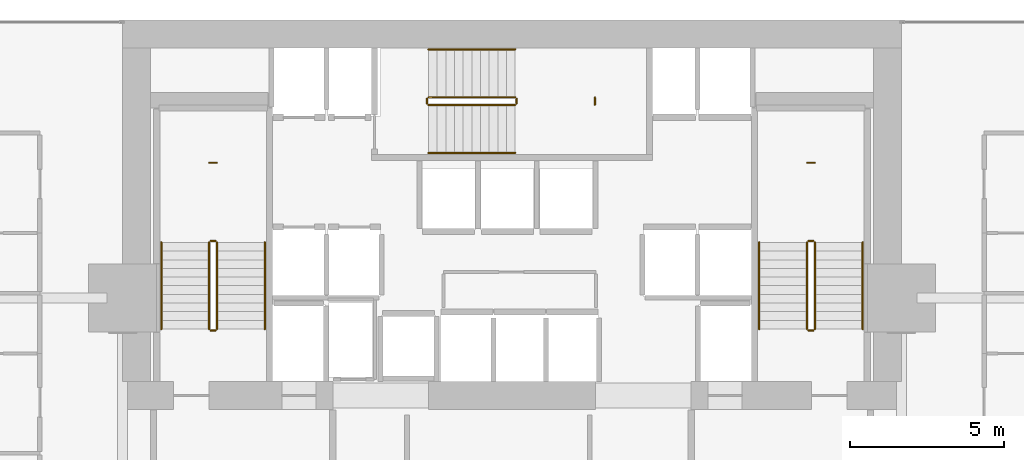
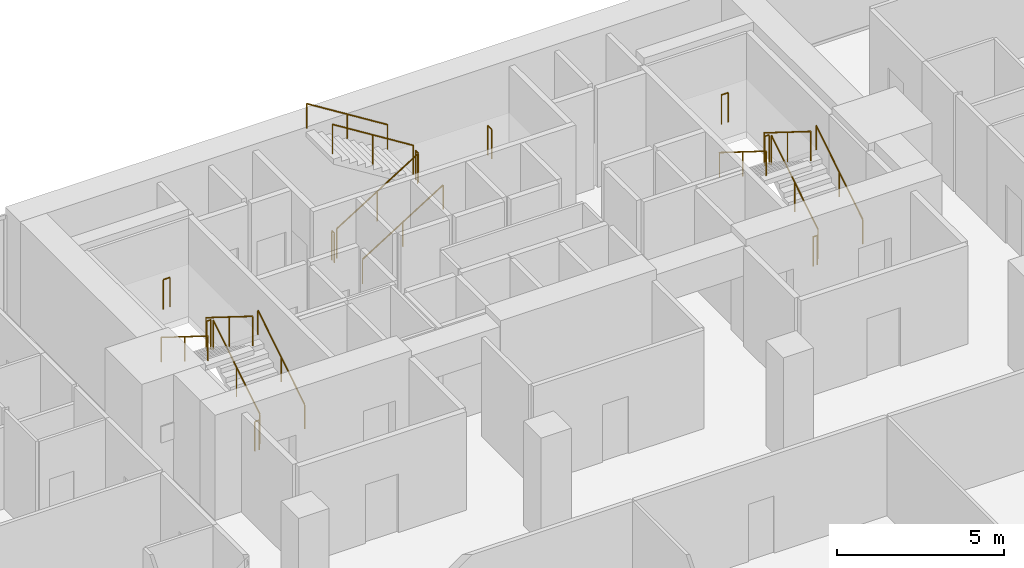
# One storey, part 40 of 40: 21 railings.
"""IFC4 building model written with IfcOpenShell, lengths in metres."""

from ifc_helpers import new_model, si_unit, direction, frame, origin, origin_2d, place, context, subcontext, project, spatial, circle, extrude, material, type_object, element, save


model = new_model("IFC4")

# Units and contexts
model_context = context("Model", 3, precision=1e-05, world=origin(), true_north=direction((0.0, 1.0)))
body_context = subcontext(model_context, "Body", "Model", "MODEL_VIEW")
ifc_project = project(units=[si_unit("LENGTHUNIT", "METRE"), si_unit("AREAUNIT", "SQUARE_METRE"), si_unit("VOLUMEUNIT", "CUBIC_METRE"), si_unit("PLANEANGLEUNIT", "RADIAN"), si_unit("MASSUNIT", "GRAM", prefix="KILO")], contexts=[model_context])

# Site, building, storey
site_placement = place(None, origin())
site = spatial("IfcSite", under=ifc_project, at=site_placement, CompositionType="ELEMENT")
building_placement = place(site_placement, origin())
building = spatial("IfcBuilding", under=site, at=building_placement, Name="Maruvema Waterfront Hotel and Observation Tower", CompositionType="ELEMENT")
storey_placement = place(building_placement, frame((0.0, 0.0, 77.0)))
storey = spatial("IfcBuildingStorey", under=building, at=storey_placement, Name="L18", CompositionType="ELEMENT", Elevation=77.0)

# Railings
ifc_material_1 = material(Name="Brushed stainless steel Grade 316", Category="steel")
railing_type_1 = type_object("IfcRailingType", Name="Ramp Continuous Wall Handrail 920 mm", PredefinedType="HANDRAIL", material=ifc_material_1)
railing_1_placement = place(storey_placement, frame((29.800048828125, 44.0, 0.175048828125)))
element("IfcRailing", 1, at=railing_1_placement, inside=storey, type_object=railing_type_1, Name="L18 ST-01 stair handrail 1", PredefinedType="HANDRAIL", context=body_context, shape_type="SweptSolid", body=[
    extrude(circle(Radius=0.02392578125, at=origin_2d()), frame((0.0, 0.0, 0.89599609375), z_axis=(0.0, 0.848002457836, 0.529992293815), x_axis=(-1.0, 0.0, 0.0)), (0.0, 0.0, 1.0), 3.302001953125),
    extrude(circle(Radius=0.02099609375, at=origin_2d()), origin(), (0.0, 0.0, 1.0), 0.871826171875),
    extrude(circle(Radius=0.02099609375, at=origin_2d()), frame((0.0, 1.39990234375, 0.875)), (0.0, 0.0, 1.0), 0.871826171875),
    extrude(circle(Radius=0.02099609375, at=origin_2d()), frame((0.0, 2.800048828125, 1.75)), (0.0, 0.0, 1.0), 0.871826171875),
])
railing_2_placement = place(storey_placement, frame((26.449951171875, 46.800048828125, 2.10009765625)))
element("IfcRailing", 2, at=railing_2_placement, inside=storey, type_object=railing_type_1, Name="L18 ST-01 stair handrail 2", PredefinedType="HANDRAIL", context=body_context, shape_type="SweptSolid", body=[
    extrude(circle(Radius=0.02392578125, at=origin_2d()), frame((0.0, 0.0, 0.89599609375), z_axis=(0.0, -0.848002457836, 0.529992293815), x_axis=(1.0, 0.0, 0.0)), (0.0, 0.0, 1.0), 3.302001953125),
    extrude(circle(Radius=0.02099609375, at=origin_2d()), origin(), (0.0, 0.0, 1.0), 0.871826171875),
    extrude(circle(Radius=0.02099609375, at=origin_2d()), frame((0.0, -1.39990234375, 0.875)), (0.0, 0.0, 1.0), 0.871826171875),
    extrude(circle(Radius=0.02099609375, at=origin_2d()), frame((0.0, -2.800048828125, 1.75)), (0.0, 0.0, 1.0), 0.871826171875),
])
railing_3_placement = place(storey_placement, frame((35.10009765625, 49.699951171875, 0.175048828125)))
element("IfcRailing", 3, at=railing_3_placement, inside=storey, type_object=railing_type_1, Name="L18 ST-02 stair handrail 1", PredefinedType="HANDRAIL", context=body_context, shape_type="SweptSolid", body=[
    extrude(circle(Radius=0.02392578125, at=origin_2d()), frame((0.0, 0.0, 0.89599609375), z_axis=(0.847981687118, 0.0, 0.530025526095), x_axis=(0.0, 1.0, 0.0)), (0.0, 0.0, 1.0), 3.3017578125),
    extrude(circle(Radius=0.02099609375, at=origin_2d()), origin(), (0.0, 0.0, 1.0), 0.871826171875),
    extrude(circle(Radius=0.02099609375, at=origin_2d()), frame((1.39990234375, 0.0, 0.875)), (0.0, 0.0, 1.0), 0.871826171875),
    extrude(circle(Radius=0.02099609375, at=origin_2d()), frame((2.7998046875, 0.0, 1.75)), (0.0, 0.0, 1.0), 0.871826171875),
])
railing_4_placement = place(storey_placement, frame((37.89990234375, 53.050048828125, 2.10009765625)))
element("IfcRailing", 4, at=railing_4_placement, inside=storey, type_object=railing_type_1, Name="L18 ST-02 stair handrail 2", PredefinedType="HANDRAIL", context=body_context, shape_type="SweptSolid", body=[
    extrude(circle(Radius=0.02392578125, at=origin_2d()), frame((0.0, 0.0, 0.89599609375), z_axis=(-0.847981687118, 0.0, 0.530025526095), x_axis=(0.0, -1.0, 0.0)), (0.0, 0.0, 1.0), 3.3017578125),
    extrude(circle(Radius=0.02099609375, at=origin_2d()), origin(), (0.0, 0.0, 1.0), 0.871826171875),
    extrude(circle(Radius=0.02099609375, at=origin_2d()), frame((-1.39990234375, 0.0, 0.875)), (0.0, 0.0, 1.0), 0.871826171875),
    extrude(circle(Radius=0.02099609375, at=origin_2d()), frame((-2.7998046875, 0.0, 1.75)), (0.0, 0.0, 1.0), 0.871826171875),
])
railing_5_placement = place(storey_placement, frame((49.14990234375, 44.0, 0.175048828125)))
element("IfcRailing", 5, at=railing_5_placement, inside=storey, type_object=railing_type_1, Name="L18 ST-03 stair handrail 1", PredefinedType="HANDRAIL", context=body_context, shape_type="SweptSolid", body=[
    extrude(circle(Radius=0.02392578125, at=origin_2d()), frame((0.0, 0.0, 0.89599609375), z_axis=(0.0, 0.848002457836, 0.529992293815), x_axis=(-1.0, 0.0, 0.0)), (0.0, 0.0, 1.0), 3.302001953125),
    extrude(circle(Radius=0.02099609375, at=origin_2d()), origin(), (0.0, 0.0, 1.0), 0.871826171875),
    extrude(circle(Radius=0.02099609375, at=origin_2d()), frame((0.0, 1.39990234375, 0.875)), (0.0, 0.0, 1.0), 0.871826171875),
    extrude(circle(Radius=0.02099609375, at=origin_2d()), frame((0.0, 2.800048828125, 1.75)), (0.0, 0.0, 1.0), 0.871826171875),
])
railing_6_placement = place(storey_placement, frame((45.800048828125, 46.800048828125, 2.10009765625)))
element("IfcRailing", 6, at=railing_6_placement, inside=storey, type_object=railing_type_1, Name="L18 ST-03 stair handrail 2", PredefinedType="HANDRAIL", context=body_context, shape_type="SweptSolid", body=[
    extrude(circle(Radius=0.02392578125, at=origin_2d()), frame((0.0, 0.0, 0.89599609375), z_axis=(0.0, -0.848002457836, 0.529992293815), x_axis=(1.0, 0.0, 0.0)), (0.0, 0.0, 1.0), 3.302001953125),
    extrude(circle(Radius=0.02099609375, at=origin_2d()), origin(), (0.0, 0.0, 1.0), 0.871826171875),
    extrude(circle(Radius=0.02099609375, at=origin_2d()), frame((0.0, -1.39990234375, 0.875)), (0.0, 0.0, 1.0), 0.871826171875),
    extrude(circle(Radius=0.02099609375, at=origin_2d()), frame((0.0, -2.800048828125, 1.75)), (0.0, 0.0, 1.0), 0.871826171875),
])
ifc_material_2 = material(Name="Brushed stainless steel Grade 316", Category="steel")
railing_type_2 = type_object("IfcRailingType", Name="Ramp and Terrace Guard Balustrade 1100 mm", PredefinedType="BALUSTRADE", material=ifc_material_2)
railing_7_placement = place(storey_placement, frame((28.25, 44.0, 0.175048828125)))
element("IfcRailing", 7, at=railing_7_placement, inside=storey, type_object=railing_type_2, Name="L18 ST-01 stair guard 1", PredefinedType="BALUSTRADE", context=body_context, shape_type="SweptSolid", body=[
    extrude(circle(Radius=0.02392578125, at=origin_2d()), frame((0.0, 0.0, 1.076171875), z_axis=(0.0, 0.848002457836, 0.529992293815), x_axis=(-1.0, 0.0, 0.0)), (0.0, 0.0, 1.0), 3.302001953125),
    extrude(circle(Radius=0.02099609375, at=origin_2d()), origin(), (0.0, 0.0, 1.0), 1.052001953125),
    extrude(circle(Radius=0.02099609375, at=origin_2d()), frame((0.0, 1.39990234375, 0.875)), (0.0, 0.0, 1.0), 1.052001953125),
    extrude(circle(Radius=0.02099609375, at=origin_2d()), frame((0.0, 2.800048828125, 1.75)), (0.0, 0.0, 1.0), 1.052001953125),
])
railing_8_placement = place(storey_placement, frame((28.199951171875, 46.85009765625, 1.925048828125)))
element("IfcRailing", 8, at=railing_8_placement, inside=storey, type_object=railing_type_2, Name="L18 ST-01 stair guard 2", PredefinedType="BALUSTRADE", context=body_context, shape_type="SweptSolid", body=[
    extrude(circle(Radius=0.02392578125, at=origin_2d()), frame((0.0, 0.0, 1.076171875), z_axis=(-1.0, 0.0, 0.0), x_axis=(0.0, -1.0, 0.0)), (0.0, 0.0, 1.0), 0.14990234375),
    extrude(circle(Radius=0.02099609375, at=origin_2d()), origin(), (0.0, 0.0, 1.0), 1.052001953125),
    extrude(circle(Radius=0.02099609375, at=origin_2d()), frame((-0.14990234375, 0.0, 0.0)), (0.0, 0.0, 1.0), 1.052001953125),
])
railing_9_placement = place(storey_placement, frame((28.0, 46.800048828125, 2.10009765625)))
element("IfcRailing", 9, at=railing_9_placement, inside=storey, type_object=railing_type_2, Name="L18 ST-01 stair guard 3", PredefinedType="BALUSTRADE", context=body_context, shape_type="SweptSolid", body=[
    extrude(circle(Radius=0.02392578125, at=origin_2d()), frame((0.0, 0.0, 1.076171875), z_axis=(0.0, -0.848002457836, 0.529992293815), x_axis=(1.0, 0.0, 0.0)), (0.0, 0.0, 1.0), 3.302001953125),
    extrude(circle(Radius=0.02099609375, at=origin_2d()), origin(), (0.0, 0.0, 1.0), 1.052001953125),
    extrude(circle(Radius=0.02099609375, at=origin_2d()), frame((0.0, -1.39990234375, 0.875)), (0.0, 0.0, 1.0), 1.052001953125),
    extrude(circle(Radius=0.02099609375, at=origin_2d()), frame((0.0, -2.800048828125, 1.75)), (0.0, 0.0, 1.0), 1.052001953125),
])
railing_10_placement = place(storey_placement, frame((28.199951171875, 43.949951171875, 0.0)))
element("IfcRailing", 10, at=railing_10_placement, inside=storey, type_object=railing_type_2, Name="L18 ST-01 stair guard 4", PredefinedType="BALUSTRADE", context=body_context, shape_type="SweptSolid", body=[
    extrude(circle(Radius=0.02392578125, at=origin_2d()), frame((0.0, 0.0, 1.076171875), z_axis=(-1.0, 0.0, 0.0), x_axis=(0.0, -1.0, 0.0)), (0.0, 0.0, 1.0), 0.14990234375),
    extrude(circle(Radius=0.02099609375, at=origin_2d()), origin(), (0.0, 0.0, 1.0), 1.052001953125),
    extrude(circle(Radius=0.02099609375, at=origin_2d()), frame((-0.14990234375, 0.0, 0.0)), (0.0, 0.0, 1.0), 1.052001953125),
])
railing_11_placement = place(storey_placement, frame((28.239990234375, 49.3798828125, 1.925048828125)))
element("IfcRailing", 11, at=railing_11_placement, inside=storey, type_object=railing_type_2, Name="L18 ST-01 Half-Landing Slot Guard", PredefinedType="BALUSTRADE", context=body_context, shape_type="SweptSolid", body=[
    extrude(circle(Radius=0.02392578125, at=origin_2d()), frame((0.0, 0.0, 1.076171875), z_axis=(-1.0, 0.0, 0.0), x_axis=(0.0, -1.0, 0.0)), (0.0, 0.0, 1.0), 0.22998046875),
    extrude(circle(Radius=0.02099609375, at=origin_2d()), origin(), (0.0, 0.0, 1.0), 1.052001953125),
    extrude(circle(Radius=0.02099609375, at=origin_2d()), frame((-0.22998046875, 0.0, 0.0)), (0.0, 0.0, 1.0), 1.052001953125),
])
railing_12_placement = place(storey_placement, frame((35.10009765625, 51.25, 0.175048828125)))
element("IfcRailing", 12, at=railing_12_placement, inside=storey, type_object=railing_type_2, Name="L18 ST-02 stair guard 1", PredefinedType="BALUSTRADE", context=body_context, shape_type="SweptSolid", body=[
    extrude(circle(Radius=0.02392578125, at=origin_2d()), frame((0.0, 0.0, 1.076171875), z_axis=(0.847981687118, 0.0, 0.530025526095), x_axis=(0.0, 1.0, 0.0)), (0.0, 0.0, 1.0), 3.3017578125),
    extrude(circle(Radius=0.02099609375, at=origin_2d()), origin(), (0.0, 0.0, 1.0), 1.052001953125),
    extrude(circle(Radius=0.02099609375, at=origin_2d()), frame((1.39990234375, 0.0, 0.875)), (0.0, 0.0, 1.0), 1.052001953125),
    extrude(circle(Radius=0.02099609375, at=origin_2d()), frame((2.7998046875, 0.0, 1.75)), (0.0, 0.0, 1.0), 1.052001953125),
])
railing_13_placement = place(storey_placement, frame((37.949951171875, 51.300048828125, 1.925048828125)))
element("IfcRailing", 13, at=railing_13_placement, inside=storey, type_object=railing_type_2, Name="L18 ST-02 stair guard 2", PredefinedType="BALUSTRADE", context=body_context, shape_type="SweptSolid", body=[
    extrude(circle(Radius=0.02392578125, at=origin_2d()), frame((0.0, 0.0, 1.076171875), z_axis=(0.0, 1.0, 0.0), x_axis=(-1.0, 0.0, 0.0)), (0.0, 0.0, 1.0), 0.14990234375),
    extrude(circle(Radius=0.02099609375, at=origin_2d()), origin(), (0.0, 0.0, 1.0), 1.052001953125),
    extrude(circle(Radius=0.02099609375, at=origin_2d()), frame((0.0, 0.14990234375, 0.0)), (0.0, 0.0, 1.0), 1.052001953125),
])
railing_14_placement = place(storey_placement, frame((37.89990234375, 51.5, 2.10009765625)))
element("IfcRailing", 14, at=railing_14_placement, inside=storey, type_object=railing_type_2, Name="L18 ST-02 stair guard 3", PredefinedType="BALUSTRADE", context=body_context, shape_type="SweptSolid", body=[
    extrude(circle(Radius=0.02392578125, at=origin_2d()), frame((0.0, 0.0, 1.076171875), z_axis=(-0.847981687118, 0.0, 0.530025526095), x_axis=(0.0, -1.0, 0.0)), (0.0, 0.0, 1.0), 3.3017578125),
    extrude(circle(Radius=0.02099609375, at=origin_2d()), origin(), (0.0, 0.0, 1.0), 1.052001953125),
    extrude(circle(Radius=0.02099609375, at=origin_2d()), frame((-1.39990234375, 0.0, 0.875)), (0.0, 0.0, 1.0), 1.052001953125),
    extrude(circle(Radius=0.02099609375, at=origin_2d()), frame((-2.7998046875, 0.0, 1.75)), (0.0, 0.0, 1.0), 1.052001953125),
])
railing_15_placement = place(storey_placement, frame((35.050048828125, 51.300048828125, 0.0)))
element("IfcRailing", 15, at=railing_15_placement, inside=storey, type_object=railing_type_2, Name="L18 ST-02 stair guard 4", PredefinedType="BALUSTRADE", context=body_context, shape_type="SweptSolid", body=[
    extrude(circle(Radius=0.02392578125, at=origin_2d()), frame((0.0, 0.0, 1.076171875), z_axis=(0.0, 1.0, 0.0), x_axis=(-1.0, 0.0, 0.0)), (0.0, 0.0, 1.0), 0.14990234375),
    extrude(circle(Radius=0.02099609375, at=origin_2d()), origin(), (0.0, 0.0, 1.0), 1.052001953125),
    extrude(circle(Radius=0.02099609375, at=origin_2d()), frame((0.0, 0.14990234375, 0.0)), (0.0, 0.0, 1.0), 1.052001953125),
])
railing_16_placement = place(storey_placement, frame((40.47998046875, 51.260009765625, 1.925048828125)))
element("IfcRailing", 16, at=railing_16_placement, inside=storey, type_object=railing_type_2, Name="L18 ST-02 Half-Landing Slot Guard", PredefinedType="BALUSTRADE", context=body_context, shape_type="SweptSolid", body=[
    extrude(circle(Radius=0.02392578125, at=origin_2d()), frame((0.0, 0.0, 1.076171875), z_axis=(0.0, 1.0, 0.0), x_axis=(-1.0, 0.0, 0.0)), (0.0, 0.0, 1.0), 0.22998046875),
    extrude(circle(Radius=0.02099609375, at=origin_2d()), origin(), (0.0, 0.0, 1.0), 1.052001953125),
    extrude(circle(Radius=0.02099609375, at=origin_2d()), frame((0.0, 0.22998046875, 0.0)), (0.0, 0.0, 1.0), 1.052001953125),
])
railing_17_placement = place(storey_placement, frame((47.60009765625, 44.0, 0.175048828125)))
element("IfcRailing", 17, at=railing_17_placement, inside=storey, type_object=railing_type_2, Name="L18 ST-03 stair guard 1", PredefinedType="BALUSTRADE", context=body_context, shape_type="SweptSolid", body=[
    extrude(circle(Radius=0.02392578125, at=origin_2d()), frame((0.0, 0.0, 1.076171875), z_axis=(0.0, 0.848002457836, 0.529992293815), x_axis=(-1.0, 0.0, 0.0)), (0.0, 0.0, 1.0), 3.302001953125),
    extrude(circle(Radius=0.02099609375, at=origin_2d()), origin(), (0.0, 0.0, 1.0), 1.052001953125),
    extrude(circle(Radius=0.02099609375, at=origin_2d()), frame((0.0, 1.39990234375, 0.875)), (0.0, 0.0, 1.0), 1.052001953125),
    extrude(circle(Radius=0.02099609375, at=origin_2d()), frame((0.0, 2.800048828125, 1.75)), (0.0, 0.0, 1.0), 1.052001953125),
])
railing_18_placement = place(storey_placement, frame((47.550048828125, 46.85009765625, 1.925048828125)))
element("IfcRailing", 18, at=railing_18_placement, inside=storey, type_object=railing_type_2, Name="L18 ST-03 stair guard 2", PredefinedType="BALUSTRADE", context=body_context, shape_type="SweptSolid", body=[
    extrude(circle(Radius=0.02392578125, at=origin_2d()), frame((0.0, 0.0, 1.076171875), z_axis=(-1.0, 0.0, 0.0), x_axis=(0.0, -1.0, 0.0)), (0.0, 0.0, 1.0), 0.150146484375),
    extrude(circle(Radius=0.02099609375, at=origin_2d()), origin(), (0.0, 0.0, 1.0), 1.052001953125),
    extrude(circle(Radius=0.02099609375, at=origin_2d()), frame((-0.150146484375, 0.0, 0.0)), (0.0, 0.0, 1.0), 1.052001953125),
])
railing_19_placement = place(storey_placement, frame((47.35009765625, 46.800048828125, 2.10009765625)))
element("IfcRailing", 19, at=railing_19_placement, inside=storey, type_object=railing_type_2, Name="L18 ST-03 stair guard 3", PredefinedType="BALUSTRADE", context=body_context, shape_type="SweptSolid", body=[
    extrude(circle(Radius=0.02392578125, at=origin_2d()), frame((0.0, 0.0, 1.076171875), z_axis=(0.0, -0.848002457836, 0.529992293815), x_axis=(1.0, 0.0, 0.0)), (0.0, 0.0, 1.0), 3.302001953125),
    extrude(circle(Radius=0.02099609375, at=origin_2d()), origin(), (0.0, 0.0, 1.0), 1.052001953125),
    extrude(circle(Radius=0.02099609375, at=origin_2d()), frame((0.0, -1.39990234375, 0.875)), (0.0, 0.0, 1.0), 1.052001953125),
    extrude(circle(Radius=0.02099609375, at=origin_2d()), frame((0.0, -2.800048828125, 1.75)), (0.0, 0.0, 1.0), 1.052001953125),
])
railing_20_placement = place(storey_placement, frame((47.550048828125, 43.949951171875, 0.0)))
element("IfcRailing", 20, at=railing_20_placement, inside=storey, type_object=railing_type_2, Name="L18 ST-03 stair guard 4", PredefinedType="BALUSTRADE", context=body_context, shape_type="SweptSolid", body=[
    extrude(circle(Radius=0.02392578125, at=origin_2d()), frame((0.0, 0.0, 1.076171875), z_axis=(-1.0, 0.0, 0.0), x_axis=(0.0, -1.0, 0.0)), (0.0, 0.0, 1.0), 0.150146484375),
    extrude(circle(Radius=0.02099609375, at=origin_2d()), origin(), (0.0, 0.0, 1.0), 1.052001953125),
    extrude(circle(Radius=0.02099609375, at=origin_2d()), frame((-0.150146484375, 0.0, 0.0)), (0.0, 0.0, 1.0), 1.052001953125),
])
railing_21_placement = place(storey_placement, frame((47.590087890625, 49.3798828125, 1.925048828125)))
element("IfcRailing", 21, at=railing_21_placement, inside=storey, type_object=railing_type_2, Name="L18 ST-03 Half-Landing Slot Guard", PredefinedType="BALUSTRADE", context=body_context, shape_type="SweptSolid", body=[
    extrude(circle(Radius=0.02392578125, at=origin_2d()), frame((0.0, 0.0, 1.076171875), z_axis=(-1.0, 0.0, 0.0), x_axis=(0.0, -1.0, 0.0)), (0.0, 0.0, 1.0), 0.22998046875),
    extrude(circle(Radius=0.02099609375, at=origin_2d()), origin(), (0.0, 0.0, 1.0), 1.052001953125),
    extrude(circle(Radius=0.02099609375, at=origin_2d()), frame((-0.22998046875, 0.0, 0.0)), (0.0, 0.0, 1.0), 1.052001953125),
])

save(model, "model.ifc")
